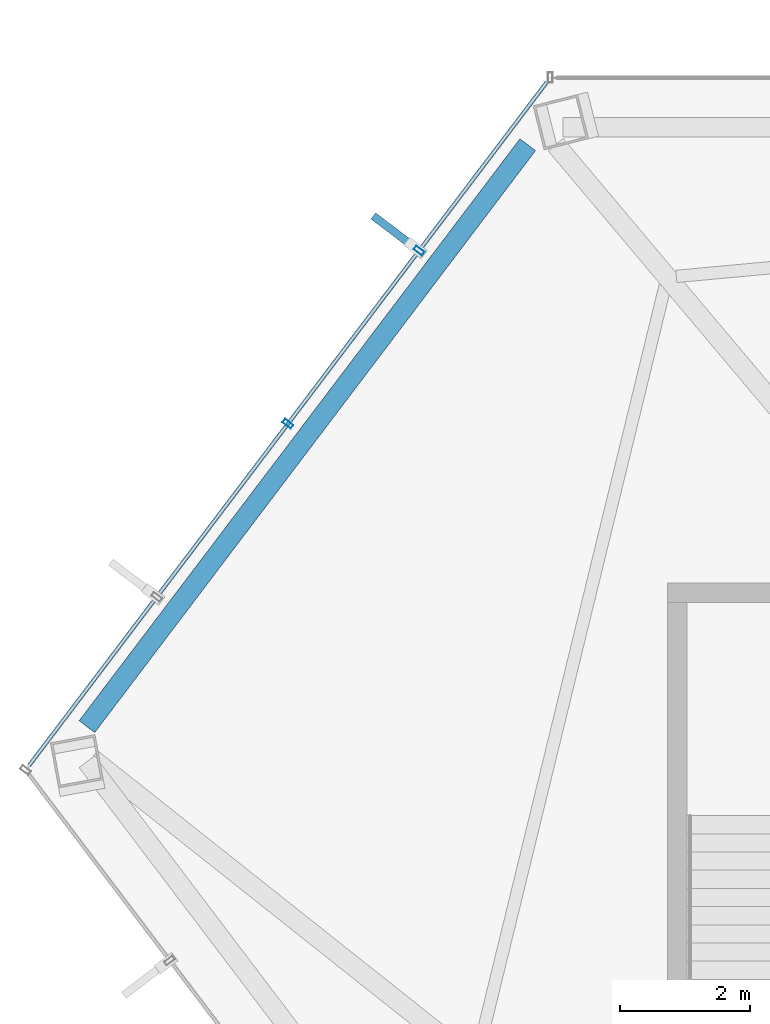
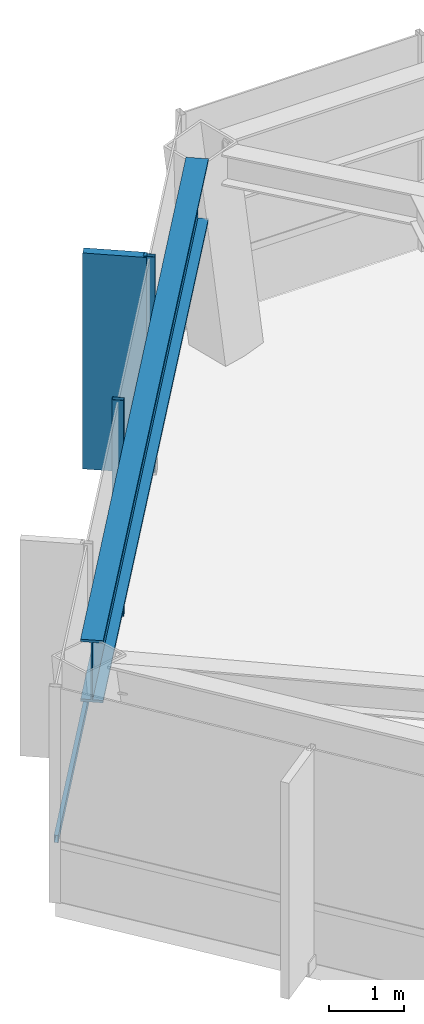
# One storey, part 11 of 27: 4 members, 1 beam, 1 element without a shape of its own.
"""IFC4 building model written with IfcOpenShell, lengths in metres."""

from ifc_helpers import new_model, si_unit, direction, frame, origin, origin_2d, place, context, subcontext, project, spatial, rectangle, hollow_rectangle, i_section, extrude, material, layer, layer_set, material_profile, profile_set, type_object, element, aggregate, save


model = new_model("IFC4")

# Units and contexts
model_context = context("Model", 3, precision=1e-05, world=origin(), true_north=direction((0.0, 1.0)))
body_context = subcontext(model_context, "Body", "Model", "MODEL_VIEW")
ifc_project = project(units=[si_unit("LENGTHUNIT", "METRE"), si_unit("AREAUNIT", "SQUARE_METRE"), si_unit("VOLUMEUNIT", "CUBIC_METRE"), si_unit("PLANEANGLEUNIT", "RADIAN"), si_unit("MASSUNIT", "GRAM", prefix="KILO")], contexts=[model_context])

# Site, building, storey
site_placement = place(None, origin())
site = spatial("IfcSite", under=ifc_project, at=site_placement, CompositionType="ELEMENT")
building_placement = place(site_placement, origin())
building = spatial("IfcBuilding", under=site, at=building_placement, Name="Zarrinselat Tower", CompositionType="ELEMENT")
storey_placement = place(building_placement, frame((0.0, 0.0, 172.0400390625)))
storey = spatial("IfcBuildingStorey", under=building, at=storey_placement, Name="L42", CompositionType="ELEMENT", Elevation=172.0400390625)

# Beam
ifc_material_1 = material(Name="Steel S460M", Category="steel")
ifc_material_profile_1 = material_profile(ifc_material_1, i_section(OverallWidth=0.302001953125, OverallDepth=1.008056640625, WebThickness=0.02099609375, FlangeThickness=0.0400390625, at=origin_2d()), Name="HEM 1000")
ifc_profile_set_1 = profile_set([ifc_material_profile_1], Name="Steel S460M")
beam_type = type_object("IfcBeamType", Name="BM-HEM1000", PredefinedType="BEAM", material=ifc_profile_set_1)
beam_placement = place(storey_placement, frame((16.1396484375, 38.841064453125, 2.995849609375), z_axis=(0.60385308905, 0.797095632183, 0.0), x_axis=(-0.797095632183, 0.60385308905, 0.0)))
element("IfcBeam", 1, at=beam_placement, inside=storey, type_object=beam_type, Name="L42 Perimeter Spandrel Girder SP05", PredefinedType="BEAM", context=body_context, shape_type="SweptSolid", body=[
    extrude(i_section(OverallWidth=0.302001953125, OverallDepth=1.008056640625, WebThickness=0.02099609375, FlangeThickness=0.0400390625, at=origin_2d()), origin(), (0.0, 0.0, 1.0), 11.242919921875),
])

# Curtain wall, members
ifc_material_2 = material(Name="Extruded Aluminium Alloy EN AW-6063 T6", Category="aluminium")
ifc_layer = layer(ifc_material_2, 0.175048828125)
ifc_layer_set = layer_set([ifc_layer], Name="Extruded Aluminium Alloy EN AW-6063 T6")
curtain_wall_type = type_object("IfcCurtainWallType", Name="CWS-HTL", PredefinedType="NOTDEFINED", material=ifc_layer_set)
curtain_wall_placement = place(storey_placement, origin())
curtain_wall = element("IfcCurtainWall", 2, at=curtain_wall_placement, inside=storey, type_object=curtain_wall_type, Name="L42 Unitised Curtain Wall CW-L42-E02", PredefinedType="NOTDEFINED")
ifc_material_3 = material(Name="Extruded Aluminium Alloy EN AW-6063 T6", Category="aluminium")
ifc_material_profile_2 = material_profile(ifc_material_3, hollow_rectangle(XDim=0.070068359375, YDim=0.159912109375, WallThickness=0.00390625, at=origin_2d()), Name="RHS 160x70x4")
ifc_profile_set_2 = profile_set([ifc_material_profile_2], Name="Extruded Aluminium Alloy EN AW-6063 T6")
member_type_1 = type_object("IfcMemberType", Name="MEM-CW-MUL2", PredefinedType="MULLION", material=ifc_profile_set_2)
member_1_placement = place(storey_placement, frame((21.2548828125, 46.172119140625, 0.0), z_axis=(0.0, 0.0, 1.0), x_axis=(-0.603854523079, -0.797094545808, 0.0)))
member_1 = element("IfcMember", 3, at=member_1_placement, type_object=member_type_1, Name="CW-L42-E02 Mullion 1", PredefinedType="MULLION", context=body_context, shape_type="SweptSolid", body=[
    extrude(hollow_rectangle(XDim=0.070068359375, YDim=0.159912109375, WallThickness=0.00390625, at=origin_2d()), origin(), (0.0, 0.0, 1.0), 3.5),
])
member_2_placement = place(storey_placement, frame((19.234619140625, 43.5048828125, 0.0), z_axis=(0.0, 0.0, 1.0), x_axis=(-0.603854523079, -0.797094545808, 0.0)))
member_2 = element("IfcMember", 4, at=member_2_placement, type_object=member_type_1, Name="CW-L42-E02 Mullion 2", PredefinedType="MULLION", context=body_context, shape_type="SweptSolid", body=[
    extrude(hollow_rectangle(XDim=0.070068359375, YDim=0.159912109375, WallThickness=0.00390625, at=origin_2d()), origin(), (0.0, 0.0, 1.0), 3.5),
])
ifc_material_4 = material(Name="Extruded Aluminium Alloy EN AW-6063 T6", Category="aluminium")
ifc_material_profile_3 = material_profile(ifc_material_4, hollow_rectangle(XDim=0.06005859375, YDim=0.1201171875, WallThickness=0.00390625, at=origin_2d()), Name="RHS 120x60x4")
ifc_profile_set_3 = profile_set([ifc_material_profile_3], Name="Extruded Aluminium Alloy EN AW-6063 T6")
member_type_2 = type_object("IfcMemberType", Name="MEM-CW-TRN2", PredefinedType="USERDEFINED", material=ifc_profile_set_3)
member_3_placement = place(storey_placement, frame((23.22119140625, 48.76708984375, 0.949951171875), z_axis=(-0.603871572164, -0.797081629654, 0.0), x_axis=(0.797081629654, -0.603871572164, 0.0)))
member_3 = element("IfcMember", 5, at=member_3_placement, type_object=member_type_2, Name="CW-L42-E02 Transom 1", ObjectType="TRANSOM", PredefinedType="USERDEFINED", context=body_context, shape_type="SweptSolid", body=[
    extrude(hollow_rectangle(XDim=0.06005859375, YDim=0.1201171875, WallThickness=0.00390625, at=origin_2d()), origin(), (0.0, 0.0, 1.0), 13.203369140625),
])
ifc_material_5 = material(Name="Honed Cream Travertine Stone", Category="masonry")
ifc_material_profile_4 = material_profile(ifc_material_5, rectangle(XDim=0.1201171875, YDim=0.85009765625, at=origin_2d()), Name="FIN 850x120")
ifc_profile_set_4 = profile_set([ifc_material_profile_4], Name="Honed Cream Travertine Stone")
member_type_3 = type_object("IfcMemberType", Name="MEM-STONE-FIN", PredefinedType="USERDEFINED", material=ifc_profile_set_4)
member_4_placement = place(storey_placement, frame((20.88818359375, 46.44970703125, 0.0), z_axis=(0.0, 0.0, 1.0), x_axis=(0.603854523079, 0.797094545808, 0.0)))
member_4 = element("IfcMember", 6, at=member_4_placement, type_object=member_type_3, Name="L42 Stone Shading Fin CW-L42-E02-01", ObjectType="FIN", PredefinedType="USERDEFINED", context=body_context, shape_type="SweptSolid", body=[
    extrude(rectangle(XDim=0.1201171875, YDim=0.85009765625, at=origin_2d()), origin(), (0.0, 0.0, 1.0), 3.5),
])
aggregate(curtain_wall, [member_1, member_4, member_2, member_3])

save(model, "model.ifc")
